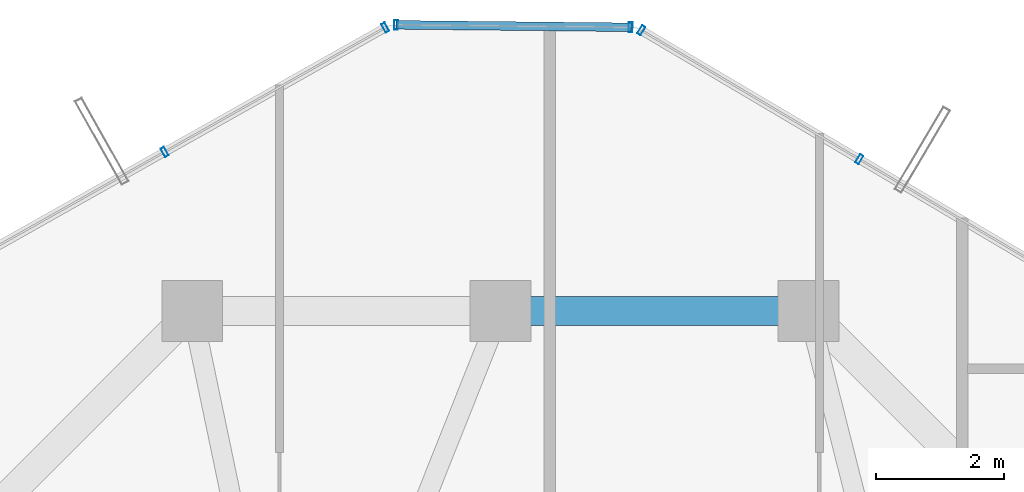
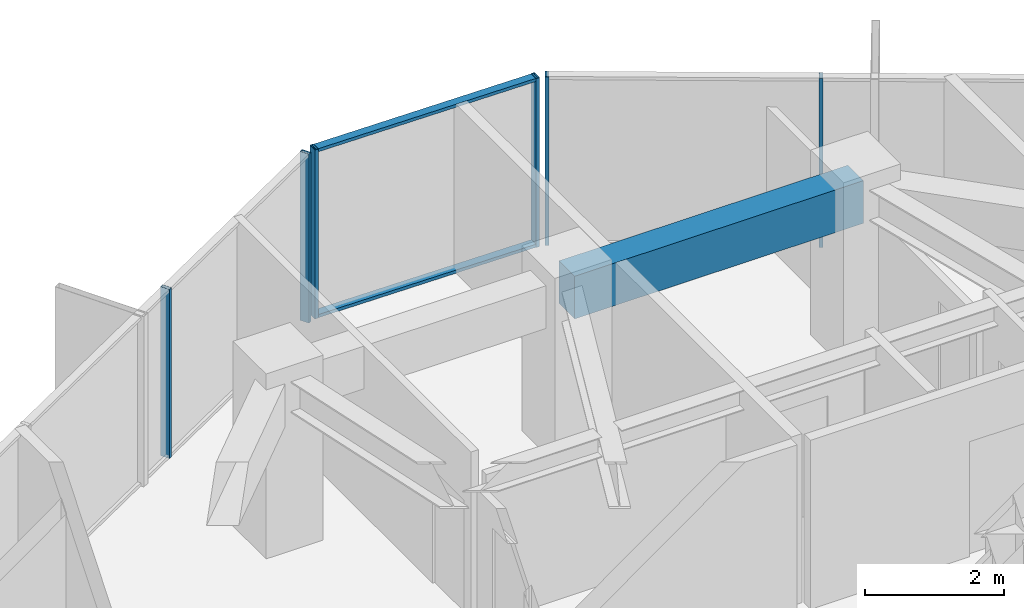
# One storey, part 21 of 30: 8 members, 1 beam, 3 elements without a shape of their own.
"""IFC4 building model written with IfcOpenShell, lengths in metres."""

from ifc_helpers import new_model, si_unit, direction, frame, origin, origin_2d, place, context, subcontext, project, spatial, rectangle, hollow_rectangle, extrude, source, transform, mapped, material, layer, layer_set, material_profile, profile_set, type_object, element, aggregate, save


model = new_model("IFC4")

# Units and contexts
model_context = context("Model", 3, precision=1e-05, world=origin(), true_north=direction((0.0, 1.0)))
body_context = subcontext(model_context, "Body", "Model", "MODEL_VIEW")
ifc_project = project(units=[si_unit("LENGTHUNIT", "METRE"), si_unit("AREAUNIT", "SQUARE_METRE"), si_unit("VOLUMEUNIT", "CUBIC_METRE"), si_unit("PLANEANGLEUNIT", "RADIAN"), si_unit("MASSUNIT", "GRAM", prefix="KILO")], contexts=[model_context])

# Site, building, storey
site_placement = place(None, origin())
site = spatial("IfcSite", under=ifc_project, at=site_placement, CompositionType="ELEMENT")
building_placement = place(site_placement, origin())
building = spatial("IfcBuilding", under=site, at=building_placement, Name="Veraguas Prism Commons", CompositionType="ELEMENT")
storey_placement = place(building_placement, frame((0.0, 0.0, 208.10009765625)))
storey = spatial("IfcBuildingStorey", under=building, at=storey_placement, Name="L59", CompositionType="ELEMENT", Elevation=208.10009765625)

# Beam
ifc_material_1 = material(Name="Concrete C50/60", Category="concrete")
ifc_material_profile_1 = material_profile(ifc_material_1, rectangle(XDim=0.449951171875, YDim=0.75, at=origin_2d()), Name="RC450X750")
ifc_profile_set_1 = profile_set([ifc_material_profile_1], Name="Concrete C50/60")
beam_type = type_object("IfcBeamType", Name="Perimeter Spandrel Upper RC 450x750", PredefinedType="SPANDREL", material=ifc_profile_set_1)
beam_placement = place(storey_placement, frame((28.800048828125, 38.89990234375, 2.594970703125), z_axis=(-1.0, 0.0, 0.0), x_axis=(0.0, -1.0, 0.0)))
element("IfcBeam", 1, at=beam_placement, inside=storey, type_object=beam_type, Name="Perimeter Spandrel Beam L59-SP04", PredefinedType="SPANDREL", context=body_context, shape_type="SweptSolid", body=[
    extrude(rectangle(XDim=0.449951171875, YDim=0.75, at=origin_2d()), origin(), (0.0, 0.0, 1.0), 4.800048828125),
])

# Curtain wall, members
ifc_material_2 = material(Name="Anodised aluminium EN AW-6063 T6", Category="aluminium")
ifc_layer = layer(ifc_material_2, 0.14990234375, Name="Unitised Flush Curtain Wall Zone 3", Category="aluminium")
ifc_layer_set = layer_set([ifc_layer], Name="Anodised aluminium EN AW-6063 T6")
curtain_wall_type = type_object("IfcCurtainWallType", Name="Unitised Flush Curtain Wall Zone 3", PredefinedType="NOTDEFINED", material=ifc_layer_set)
curtain_wall_1_placement = place(storey_placement, origin())
curtain_wall_1 = element("IfcCurtainWall", 2, at=curtain_wall_1_placement, inside=storey, type_object=curtain_wall_type, Name="Chamfer Curtain Wall L59-C2", PredefinedType="NOTDEFINED")
ifc_material_profile_2 = material_profile(ifc_material_2, hollow_rectangle(XDim=0.054931640625, YDim=0.135009765625, WallThickness=0.0029296875, at=origin_2d()), Name="AL55X135X3")
ifc_profile_set_2 = profile_set([ifc_material_profile_2], Name="Anodised aluminium EN AW-6063 T6")
member_type_1 = type_object("IfcMemberType", Name="Curtain Wall Transom Standard AL 55x135x3", PredefinedType="USERDEFINED", material=ifc_profile_set_2)
shared_shape_1 = source(origin(), body_context, "Body", "SweptSolid", [
    extrude(hollow_rectangle(XDim=0.054931640625, YDim=0.135009765625, WallThickness=0.0029296875, at=origin_2d()), origin(), (0.0, 0.0, 1.0), 3.654296875),
])
member_1_placement = place(storey_placement, frame((26.029541015625, 43.322998046875, 0.02734375), z_axis=(-0.999945685686, 0.010422364333, 0.0), x_axis=(0.0, 0.0, 1.0)))
member_1 = element("IfcMember", 3, at=member_1_placement, type_object=member_type_1, Name="CW-Z3 Transom 1", ObjectType="TRANSOM", PredefinedType="USERDEFINED", context=body_context, shape_type="MappedRepresentation", body=[
    mapped(shared_shape_1, transform((0.0, 0.0, 0.0), scale=1.0)),
])
member_2_placement = place(storey_placement, frame((26.029541015625, 43.322998046875, 2.9423828125), z_axis=(-0.999945685686, 0.010422364333, 0.0), x_axis=(0.0, 0.0, 1.0)))
member_2 = element("IfcMember", 4, at=member_2_placement, type_object=member_type_1, Name="CW-Z3 Transom 2", ObjectType="TRANSOM", PredefinedType="USERDEFINED", context=body_context, shape_type="MappedRepresentation", body=[
    mapped(shared_shape_1, transform((0.0, 0.0, 0.0), scale=1.0)),
])

curtain_wall_2_placement = place(storey_placement, origin())
curtain_wall_2 = element("IfcCurtainWall", 5, at=curtain_wall_2_placement, inside=storey, type_object=curtain_wall_type, Name="Tower Facade Curtain Wall L59-F1", PredefinedType="NOTDEFINED")
ifc_material_profile_3 = material_profile(ifc_material_2, hollow_rectangle(XDim=0.06005859375, YDim=0.14990234375, WallThickness=0.0029296875, at=origin_2d()), Name="AL60X150X3")
ifc_profile_set_3 = profile_set([ifc_material_profile_3], Name="Anodised aluminium EN AW-6063 T6")
member_type_2 = type_object("IfcMemberType", Name="Curtain Wall Mullion Upper AL 60x150x3", PredefinedType="MULLION", material=ifc_profile_set_3)
shared_shape_2 = source(origin(), body_context, "Body", "SweptSolid", [
    extrude(hollow_rectangle(XDim=0.06005859375, YDim=0.14990234375, WallThickness=0.0029296875, at=origin_2d()), origin(), (0.0, 0.0, 1.0), 2.969970703125),
])
member_3_placement = place(storey_placement, frame((29.59326171875, 41.267822265625, 0.0), z_axis=(0.0, 0.0, 1.0), x_axis=(-0.860741138558, 0.509042918028, 0.0)))
member_3 = element("IfcMember", 6, at=member_3_placement, type_object=member_type_2, Name="CW-Z3 Mullion 4", PredefinedType="MULLION", context=body_context, shape_type="MappedRepresentation", body=[
    mapped(shared_shape_2, transform((0.0, 0.0, 0.0), scale=1.0)),
])
member_4_placement = place(storey_placement, frame((26.197021484375, 43.276123046875, 0.0), z_axis=(0.0, 0.0, 1.0), x_axis=(-0.860741138558, 0.509042918028, 0.0)))
member_4 = element("IfcMember", 7, at=member_4_placement, type_object=member_type_2, Name="CW-Z3 Mullion 5", PredefinedType="MULLION", context=body_context, shape_type="MappedRepresentation", body=[
    mapped(shared_shape_2, transform((0.0, 0.0, 0.0), scale=1.0)),
])
aggregate(curtain_wall_2, [member_3, member_4])

curtain_wall_3_placement = place(storey_placement, origin())
curtain_wall_3 = element("IfcCurtainWall", 8, at=curtain_wall_3_placement, inside=storey, type_object=curtain_wall_type, Name="Tower Facade Curtain Wall L59-F2", PredefinedType="NOTDEFINED")
member_5_placement = place(storey_placement, frame((22.20703125, 43.31787109375, 0.0), z_axis=(0.0, 0.0, 1.0), x_axis=(-0.871215524692, -0.490900712502, 0.0)))
member_5 = element("IfcMember", 9, at=member_5_placement, type_object=member_type_2, Name="CW-Z3 Mullion 1", PredefinedType="MULLION", context=body_context, shape_type="MappedRepresentation", body=[
    mapped(shared_shape_2, transform((0.0, 0.0, 0.0), scale=1.0)),
])
member_6_placement = place(storey_placement, frame((18.76953125, 41.380859375, 0.0), z_axis=(0.0, 0.0, 1.0), x_axis=(-0.871215524692, -0.490900712502, 0.0)))
member_6 = element("IfcMember", 10, at=member_6_placement, type_object=member_type_2, Name="CW-Z3 Mullion 2", PredefinedType="MULLION", context=body_context, shape_type="MappedRepresentation", body=[
    mapped(shared_shape_2, transform((0.0, 0.0, 0.0), scale=1.0)),
])
aggregate(curtain_wall_3, [member_5, member_6])

# Member
member_7_placement = place(storey_placement, frame((26.029541015625, 43.322998046875, 0.0), z_axis=(0.0, 0.0, 1.0), x_axis=(-0.999945151087, 0.01047352935, 0.0)))
member_7 = element("IfcMember", 11, at=member_7_placement, type_object=member_type_2, Name="CW-Z3 Mullion 1", PredefinedType="MULLION", context=body_context, shape_type="MappedRepresentation", body=[
    mapped(shared_shape_2, transform((0.0, 0.0, 0.0), scale=1.0)),
])

member_8_placement = place(storey_placement, frame((22.37548828125, 43.361083984375, 0.0), z_axis=(0.0, 0.0, 1.0), x_axis=(-0.999945151087, 0.01047352935, 0.0)))
member_8 = element("IfcMember", 12, at=member_8_placement, type_object=member_type_2, Name="CW-Z3 Mullion 2", PredefinedType="MULLION", context=body_context, shape_type="MappedRepresentation", body=[
    mapped(shared_shape_2, transform((0.0, 0.0, 0.0), scale=1.0)),
])

aggregate(curtain_wall_1, [member_7, member_8, member_1, member_2])

save(model, "model.ifc")
